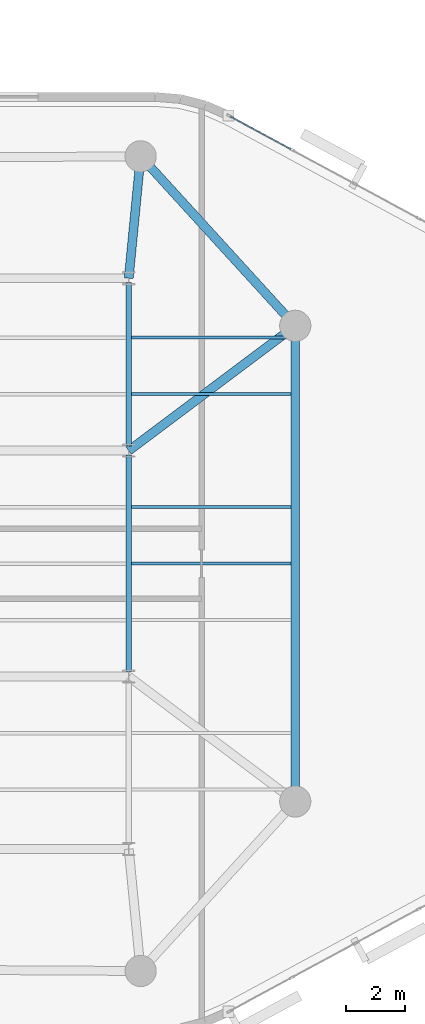
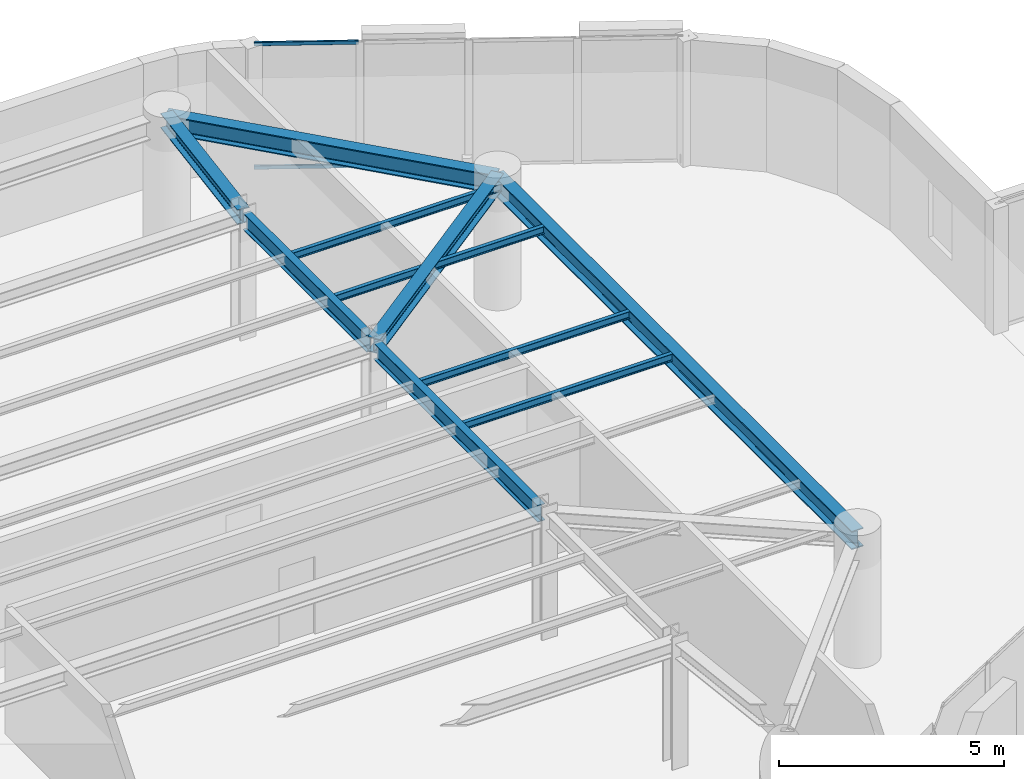
# One storey, part 5 of 14: 10 beams, 2 members, 1 element without a shape of its own.
"""IFC4 building model written with IfcOpenShell, lengths in metres."""

from ifc_helpers import new_model, si_unit, direction, frame, origin, origin_2d, place, context, subcontext, project, spatial, hollow_rectangle, i_section, extrude, material, layer, layer_set, material_profile, profile_set, type_object, element, aggregate, save


model = new_model("IFC4")

# Units and contexts
model_context = context("Model", 3, precision=1e-05, world=origin(), true_north=direction((0.0, 1.0)))
body_context = subcontext(model_context, "Body", "Model", "MODEL_VIEW")
ifc_project = project(units=[si_unit("LENGTHUNIT", "METRE"), si_unit("AREAUNIT", "SQUARE_METRE"), si_unit("VOLUMEUNIT", "CUBIC_METRE"), si_unit("PLANEANGLEUNIT", "RADIAN"), si_unit("MASSUNIT", "GRAM", prefix="KILO")], contexts=[model_context])

# Site, building, storey
site_placement = place(None, origin())
site = spatial("IfcSite", under=ifc_project, at=site_placement, CompositionType="ELEMENT")
building_placement = place(site_placement, origin())
building = spatial("IfcBuilding", under=site, at=building_placement, Name="An Khanh Terracotta Commons", CompositionType="ELEMENT")
storey_placement = place(building_placement, frame((0.0, 0.0, 240.89990234375)))
storey = spatial("IfcBuildingStorey", under=building, at=storey_placement, Name="L63", CompositionType="ELEMENT", Elevation=240.89990234375)

# Beams
ifc_material_1 = material(Name="Steel S355J2", Category="steel")
ifc_material_profile_1 = material_profile(ifc_material_1, i_section(OverallWidth=0.300048828125, OverallDepth=0.39990234375, WebThickness=0.013427734375, FlangeThickness=0.02392578125, FilletRadius=0.027099609375, at=origin_2d()), Name="HEB400")
ifc_profile_set_1 = profile_set([ifc_material_profile_1], Name="Steel S355J2")
beam_type_1 = type_object("IfcBeamType", Name="BM-HEB400", PredefinedType="BEAM", material=ifc_profile_set_1)
beam_1_placement = place(storey_placement, frame((59.60009765625, 32.0, 3.2001953125), z_axis=(-0.800008370399, -0.599988839305, 0.0), x_axis=(0.599988839305, -0.800008370399, 0.0)))
element("IfcBeam", 1, at=beam_1_placement, inside=storey, type_object=beam_type_1, Name="L63 Mega-Column Tie Girder 4", PredefinedType="BEAM", context=body_context, shape_type="SweptSolid", body=[
    extrude(i_section(OverallWidth=0.300048828125, OverallDepth=0.39990234375, WebThickness=0.013427734375, FlangeThickness=0.02392578125, FilletRadius=0.027099609375, at=origin_2d()), origin(), (0.0, 0.0, 1.0), 7.0),
])
beam_2_placement = place(storey_placement, frame((54.39990234375, 37.699951171875, 3.2001953125), z_axis=(-0.097079917443, -0.995276589511, 0.0), x_axis=(0.995276589511, -0.097079917443, 0.0)))
element("IfcBeam", 2, at=beam_2_placement, inside=storey, type_object=beam_type_1, Name="L63 Mega-Column Tie Girder 5", PredefinedType="BEAM", context=body_context, shape_type="SweptSolid", body=[
    extrude(i_section(OverallWidth=0.300048828125, OverallDepth=0.39990234375, WebThickness=0.013427734375, FlangeThickness=0.02392578125, FilletRadius=0.027099609375, at=origin_2d()), origin(), (0.0, 0.0, 1.0), 4.119384765625),
])
ifc_material_profile_2 = material_profile(ifc_material_1, i_section(OverallWidth=0.300048828125, OverallDepth=0.5, WebThickness=0.014404296875, FlangeThickness=0.028076171875, FilletRadius=0.027099609375, at=origin_2d()), Name="HEB500")
ifc_profile_set_2 = profile_set([ifc_material_profile_2], Name="Steel S355J2")
beam_type_2 = type_object("IfcBeamType", Name="BM-HEB500", PredefinedType="BEAM", material=ifc_profile_set_2)
beam_3_placement = place(storey_placement, frame((59.60009765625, 16.0, 3.150146484375), z_axis=(0.0, 1.0, 0.0), x_axis=(-1.0, 0.0, 0.0)))
element("IfcBeam", 3, at=beam_3_placement, inside=storey, type_object=beam_type_2, Name="L63 Perimeter Ring Spandrel 3", PredefinedType="BEAM", context=body_context, shape_type="SweptSolid", body=[
    extrude(i_section(OverallWidth=0.300048828125, OverallDepth=0.5, WebThickness=0.014404296875, FlangeThickness=0.028076171875, FilletRadius=0.027099609375, at=origin_2d()), origin(), (0.0, 0.0, 1.0), 16.0),
])
beam_4_placement = place(storey_placement, frame((59.60009765625, 32.0, 3.150146484375), z_axis=(-0.673978953902, 0.738750546326, 0.0), x_axis=(-0.738750546326, -0.673978953902, 0.0)))
element("IfcBeam", 4, at=beam_4_placement, inside=storey, type_object=beam_type_2, Name="L63 Perimeter Ring Spandrel 4", PredefinedType="BEAM", context=body_context, shape_type="SweptSolid", body=[
    extrude(i_section(OverallWidth=0.300048828125, OverallDepth=0.5, WebThickness=0.014404296875, FlangeThickness=0.028076171875, FilletRadius=0.027099609375, at=origin_2d()), origin(), (0.0, 0.0, 1.0), 7.715576171875),
])
ifc_material_profile_3 = material_profile(ifc_material_1, i_section(OverallWidth=0.10009765625, OverallDepth=0.199951171875, WebThickness=0.005615234375, FlangeThickness=0.008544921875, FilletRadius=0.011962890625, at=origin_2d()), Name="IPE200")
ifc_profile_set_3 = profile_set([ifc_material_profile_3], Name="Steel S355J2")
beam_type_3 = type_object("IfcBeamType", Name="BM-IPE200", PredefinedType="JOIST", material=ifc_profile_set_3)
for number, where, z_axis, x_axis, name in (
    (5, (54.094970703125, 24.0, 3.300048828125), (1.0, 0.0, 0.0), (0.0, 1.0, 0.0), "L63 Riverfront Composite Joist 4"),
    (6, (54.094970703125, 25.89990234375, 3.300048828125), (1.0, 0.0, 0.0), (0.0, 1.0, 0.0), "L63 Riverfront Composite Joist 5"),
    (7, (54.094970703125, 29.699951171875, 3.300048828125), (1.0, 0.0, 0.0), (0.0, 1.0, 0.0), "L63 Riverfront Composite Joist 6"),
    (8, (54.094970703125, 31.60009765625, 3.300048828125), (1.0, 0.0, 0.0), (0.0, 1.0, 0.0), "L63 Riverfront Composite Joist 7"),
):
    element("IfcBeam", number, at=place(storey_placement, frame(where, z_axis=z_axis, x_axis=x_axis)), inside=storey, type_object=beam_type_3, Name=name, PredefinedType="JOIST", context=body_context, shape_type="SweptSolid", body=[
        extrude(i_section(OverallWidth=0.10009765625, OverallDepth=0.199951171875, WebThickness=0.005615234375, FlangeThickness=0.008544921875, FilletRadius=0.011962890625, at=origin_2d()), origin(), (0.0, 0.0, 1.0), 5.35498046875),
    ])
ifc_material_profile_4 = material_profile(ifc_material_1, i_section(OverallWidth=0.18994140625, OverallDepth=0.449951171875, WebThickness=0.009521484375, FlangeThickness=0.0146484375, FilletRadius=0.02099609375, at=origin_2d()), Name="IPE450")
ifc_profile_set_4 = profile_set([ifc_material_profile_4], Name="Steel S355J2")
beam_type_4 = type_object("IfcBeamType", Name="BM-IPE450", PredefinedType="JOIST", material=ifc_profile_set_4)
beam_5_placement = place(storey_placement, frame((54.0, 20.35009765625, 3.175048828125), z_axis=(0.0, 1.0, 0.0), x_axis=(-1.0, 0.0, 0.0)))
element("IfcBeam", 9, at=beam_5_placement, inside=storey, type_object=beam_type_4, Name="L63 East Spine Girder 2", PredefinedType="JOIST", context=body_context, shape_type="SweptSolid", body=[
    extrude(i_section(OverallWidth=0.18994140625, OverallDepth=0.449951171875, WebThickness=0.009521484375, FlangeThickness=0.0146484375, FilletRadius=0.02099609375, at=origin_2d()), origin(), (0.0, 0.0, 1.0), 7.2998046875),
])
beam_6_placement = place(storey_placement, frame((54.0, 27.949951171875, 3.175048828125), z_axis=(0.0, 1.0, 0.0), x_axis=(-1.0, 0.0, 0.0)))
element("IfcBeam", 10, at=beam_6_placement, inside=storey, type_object=beam_type_4, Name="L63 East Spine Girder 3", PredefinedType="JOIST", context=body_context, shape_type="SweptSolid", body=[
    extrude(i_section(OverallWidth=0.18994140625, OverallDepth=0.449951171875, WebThickness=0.009521484375, FlangeThickness=0.0146484375, FilletRadius=0.02099609375, at=origin_2d()), origin(), (0.0, 0.0, 1.0), 5.5),
])

# Curtain wall, members
ifc_material_2 = material(Name="Anodised Aluminium 6063-T6", Category="aluminium")
ifc_layer = layer(ifc_material_2, 0.2099609375, Name="Anodised Aluminium 6063-T6")
ifc_layer_set = layer_set([ifc_layer], Name="Anodised Aluminium 6063-T6")
curtain_wall_type = type_object("IfcCurtainWallType", Name="CW-SYS-03", PredefinedType="USERDEFINED", material=ifc_layer_set)
curtain_wall_placement = place(storey_placement, origin())
curtain_wall = element("IfcCurtainWall", 11, at=curtain_wall_placement, inside=storey, type_object=curtain_wall_type, Name="L63 CW-03 Unitised Curtain Wall CW-L63-16", ObjectType="UNITISED CURTAIN WALL", PredefinedType="USERDEFINED")
ifc_material_profile_5 = material_profile(ifc_material_2, hollow_rectangle(XDim=0.050048828125, YDim=0.10009765625, WallThickness=0.003173828125, InnerFilletRadius=0.003173828125, OuterFilletRadius=0.00634765625, at=origin_2d()), Name="RHS100x50x3.2")
ifc_profile_set_5 = profile_set([ifc_material_profile_5], Name="Anodised Aluminium 6063-T6")
member_type = type_object("IfcMemberType", Name="CWT-RHS100x50x3.2", PredefinedType="USERDEFINED", material=ifc_profile_set_5)
member_1_placement = place(storey_placement, frame((59.455078125, 37.94140625, 0.025146484375), z_axis=(-0.879779245677, 0.475382455373, 0.0), x_axis=(-0.475382455373, -0.879779245677, 0.0)))
member_1 = element("IfcMember", 12, at=member_1_placement, type_object=member_type, Name="CW-03 transom 4.1", ObjectType="TRANSOM", PredefinedType="USERDEFINED", context=body_context, shape_type="SweptSolid", body=[
    extrude(hollow_rectangle(XDim=0.050048828125, YDim=0.10009765625, WallThickness=0.003173828125, InnerFilletRadius=0.003173828125, OuterFilletRadius=0.00634765625, at=origin_2d()), origin(), (0.0, 0.0, 1.0), 2.314697265625),
])
member_2_placement = place(storey_placement, frame((59.455078125, 37.94140625, 3.375), z_axis=(-0.879779245677, 0.475382455373, 0.0), x_axis=(-0.475382455373, -0.879779245677, 0.0)))
member_2 = element("IfcMember", 13, at=member_2_placement, type_object=member_type, Name="CW-03 transom 4.2", ObjectType="TRANSOM", PredefinedType="USERDEFINED", context=body_context, shape_type="SweptSolid", body=[
    extrude(hollow_rectangle(XDim=0.050048828125, YDim=0.10009765625, WallThickness=0.003173828125, InnerFilletRadius=0.003173828125, OuterFilletRadius=0.00634765625, at=origin_2d()), origin(), (0.0, 0.0, 1.0), 2.314697265625),
])
aggregate(curtain_wall, [member_1, member_2])

save(model, "model.ifc")
